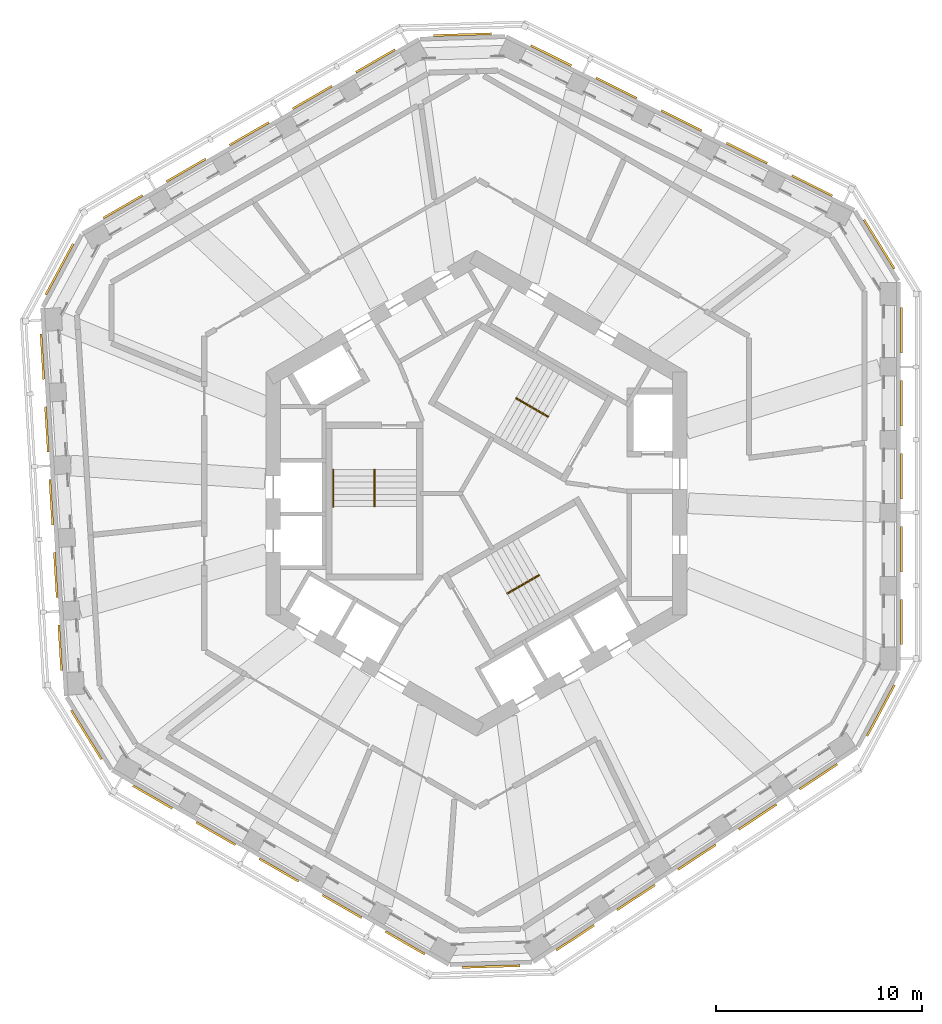
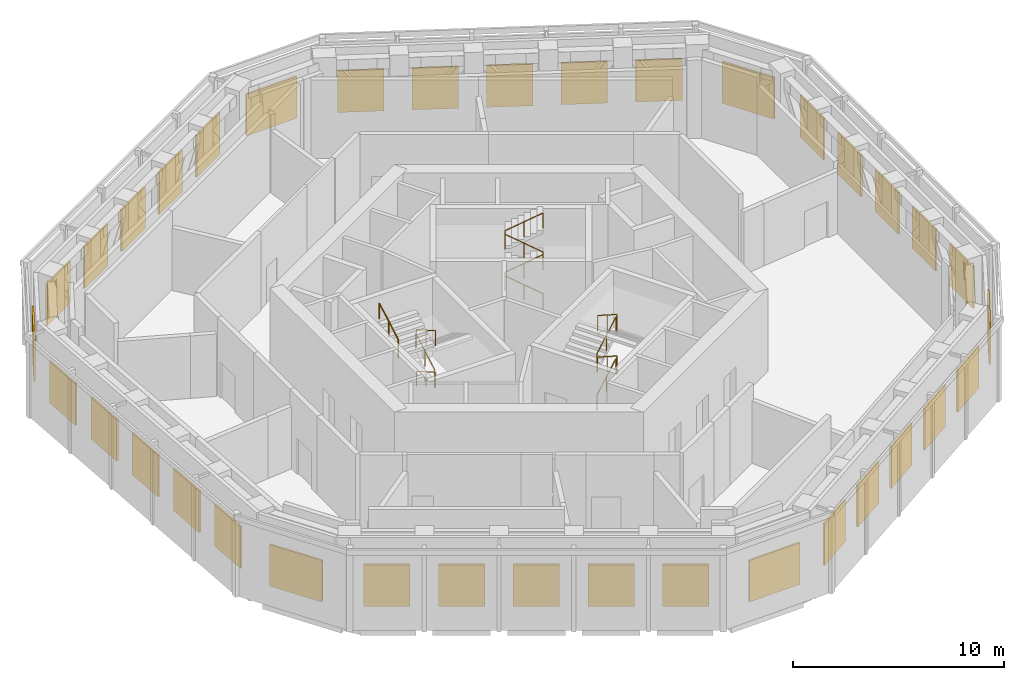
# One storey, part 14 of 14: 36 shading devices, 4 railings.
"""IFC4 building model written with IfcOpenShell, lengths in metres."""

from ifc_helpers import new_model, si_unit, direction, frame, origin, origin_2d, place, context, subcontext, project, spatial, rectangle, circle, extrude, material, layer, layer_set, type_object, element, save


model = new_model("IFC4")

# Units and contexts
model_context = context("Model", 3, precision=1e-05, world=origin(), true_north=direction((0.0, 1.0)))
body_context = subcontext(model_context, "Body", "Model", "MODEL_VIEW")
ifc_project = project(units=[si_unit("LENGTHUNIT", "METRE"), si_unit("AREAUNIT", "SQUARE_METRE"), si_unit("VOLUMEUNIT", "CUBIC_METRE"), si_unit("PLANEANGLEUNIT", "RADIAN"), si_unit("MASSUNIT", "GRAM", prefix="KILO")], contexts=[model_context])

# Site, building, storey
site_placement = place(None, origin())
site = spatial("IfcSite", under=ifc_project, at=site_placement, CompositionType="ELEMENT")
building_placement = place(site_placement, origin())
building = spatial("IfcBuilding", under=site, at=building_placement, Name="Vanh Sen Convention Tower", CompositionType="ELEMENT")
storey_placement = place(building_placement, frame((0.0, 0.0, 255.0)))
storey = spatial("IfcBuildingStorey", under=building, at=storey_placement, Name="L63", CompositionType="ELEMENT", Elevation=255.0)

# Shading devices
ifc_material_1 = material(Name="Aluminium fixed louvre", Category="aluminium")
ifc_layer_1 = layer(ifc_material_1, 0.10009765625)
ifc_layer_set_1 = layer_set([ifc_layer_1], Name="Aluminium fixed louvre")
shading_device_type_1 = type_object("IfcShadingDeviceType", Name="Fixed louvre band 2200 x 2400", PredefinedType="USERDEFINED", material=ifc_layer_set_1)
for number, where, z_axis, x_axis, name in (
    (1, (20.60009765625, -6.236083984375, 0.900146484375), (0.0, 0.0, 1.0), (0.0, 1.0, 0.0), "Fixed louvre band LV5-E1"),
    (2, (20.60009765625, -2.702392578125, 0.900146484375), (0.0, 0.0, 1.0), (0.0, 1.0, 0.0), "Fixed louvre band LV5-E2"),
    (3, (20.60009765625, 0.831298828125, 0.900146484375), (0.0, 0.0, 1.0), (0.0, 1.0, 0.0), "Fixed louvre band LV5-E3"),
    (4, (20.60009765625, 4.364990234375, 0.900146484375), (0.0, 0.0, 1.0), (0.0, 1.0, 0.0), "Fixed louvre band LV5-E4"),
    (5, (20.60009765625, 7.8984375, 0.900146484375), (0.0, 0.0, 1.0), (0.0, 1.0, 0.0), "Fixed louvre band LV5-E5"),
    (6, (16.260498046875, 14.911376953125, 0.900146484375), (0.0, 0.0, 1.0), (-0.894935140363, 0.446196251154, 0.0), "Fixed louvre band LV5-NE1"),
    (7, (13.09814453125, 16.488037109375, 0.900146484375), (0.0, 0.0, 1.0), (-0.894935140363, 0.446196251154, 0.0), "Fixed louvre band LV5-NE2"),
    (8, (9.935546875, 18.064697265625, 0.900146484375), (0.0, 0.0, 1.0), (-0.894935140363, 0.446196251154, 0.0), "Fixed louvre band LV5-NE3"),
    (9, (6.773193359375, 19.6416015625, 0.900146484375), (0.0, 0.0, 1.0), (-0.894935140363, 0.446196251154, 0.0), "Fixed louvre band LV5-NE4"),
    (10, (3.61083984375, 21.21826171875, 0.900146484375), (0.0, 0.0, 1.0), (-0.894935140363, 0.446196251154, 0.0), "Fixed louvre band LV5-NE5"),
    (11, (-4.8994140625, 20.9580078125, 0.900146484375), (0.0, 0.0, 1.0), (-0.866024531118, -0.500001511499, 0.0), "Fixed louvre band LV5-NW1"),
    (12, (-7.959716796875, 19.19140625, 0.900146484375), (0.0, 0.0, 1.0), (-0.866024531118, -0.500001511499, 0.0), "Fixed louvre band LV5-NW2"),
    (13, (-11.02001953125, 17.424560546875, 0.900146484375), (0.0, 0.0, 1.0), (-0.866024531118, -0.500001511499, 0.0), "Fixed louvre band LV5-NW3"),
    (14, (-14.080078125, 15.65771484375, 0.900146484375), (0.0, 0.0, 1.0), (-0.866024531118, -0.500001511499, 0.0), "Fixed louvre band LV5-NW4"),
    (15, (-17.140380859375, 13.890869140625, 0.900146484375), (0.0, 0.0, 1.0), (-0.866024531118, -0.500001511499, 0.0), "Fixed louvre band LV5-NW5"),
    (16, (-21.043701171875, 6.626220703125, 0.900146484375), (0.0, 0.0, 1.0), (0.061045055387, -0.998135011515, 0.0), "Fixed louvre band LV5-W1"),
    (17, (-20.827880859375, 3.09912109375, 0.900146484375), (0.0, 0.0, 1.0), (0.061045055387, -0.998135011515, 0.0), "Fixed louvre band LV5-W2"),
    (18, (-20.6123046875, -0.427978515625, 0.900146484375), (0.0, 0.0, 1.0), (0.061045055387, -0.998135011515, 0.0), "Fixed louvre band LV5-W3"),
    (19, (-20.396484375, -3.954833984375, 0.900146484375), (0.0, 0.0, 1.0), (0.061045055387, -0.998135011515, 0.0), "Fixed louvre band LV5-W4"),
    (20, (-20.180908203125, -7.48193359375, 0.900146484375), (0.0, 0.0, 1.0), (0.061045055387, -0.998135011515, 0.0), "Fixed louvre band LV5-W5"),
    (21, (-15.700439453125, -14.72216796875, 0.900146484375), (0.0, 0.0, 1.0), (0.866024531118, -0.500001511499, 0.0), "Fixed louvre band LV5-SW1"),
    (22, (-12.640380859375, -16.489013671875, 0.900146484375), (0.0, 0.0, 1.0), (0.866024531118, -0.500001511499, 0.0), "Fixed louvre band LV5-SW2"),
    (23, (-9.580078125, -18.255859375, 0.900146484375), (0.0, 0.0, 1.0), (0.866024531118, -0.500001511499, 0.0), "Fixed louvre band LV5-SW3"),
    (24, (-6.52001953125, -20.022705078125, 0.900146484375), (0.0, 0.0, 1.0), (0.866024531118, -0.500001511499, 0.0), "Fixed louvre band LV5-SW4"),
    (25, (-3.459716796875, -21.789306640625, 0.900146484375), (0.0, 0.0, 1.0), (0.866024531118, -0.500001511499, 0.0), "Fixed louvre band LV5-SW5"),
    (26, (4.783447265625, -21.53759765625, 0.900146484375), (0.0, 0.0, 1.0), (0.833886785378, 0.551935529906, 0.0), "Fixed louvre band LV5-SE1"),
    (27, (7.72998046875, -19.587158203125, 0.900146484375), (0.0, 0.0, 1.0), (0.833886785378, 0.551935529906, 0.0), "Fixed louvre band LV5-SE2"),
    (28, (10.6767578125, -17.636962890625, 0.900146484375), (0.0, 0.0, 1.0), (0.833886785378, 0.551935529906, 0.0), "Fixed louvre band LV5-SE3"),
    (29, (13.623291015625, -15.6865234375, 0.900146484375), (0.0, 0.0, 1.0), (0.833886785378, 0.551935529906, 0.0), "Fixed louvre band LV5-SE4"),
    (30, (16.570068359375, -13.736083984375, 0.900146484375), (0.0, 0.0, 1.0), (0.833886785378, 0.551935529906, 0.0), "Fixed louvre band LV5-SE5"),
):
    element("IfcShadingDevice", number, at=place(storey_placement, frame(where, z_axis=z_axis, x_axis=x_axis)), inside=storey, type_object=shading_device_type_1, Name=name, ObjectType="LOUVRE", PredefinedType="USERDEFINED", context=body_context, shape_type="SweptSolid", body=[
        extrude(rectangle(XDim=2.199951171875, YDim=0.10009765625, at=origin_2d()), origin(), (0.0, 0.0, 1.0), 2.39990234375),
    ])
ifc_layer_2 = layer(ifc_material_1, 0.10009765625)
ifc_layer_set_2 = layer_set([ifc_layer_2], Name="Aluminium fixed louvre")
shading_device_type_2 = type_object("IfcShadingDeviceType", Name="Fixed louvre band 2800 x 2400", PredefinedType="USERDEFINED", material=ifc_layer_set_2)
for number, where, z_axis, x_axis, name in (
    (31, (19.5146484375, 12.075927734375, 0.900146484375), (0.0, 0.0, 1.0), (-0.526207987061, 0.850355898641, 0.0), "Fixed louvre band LV6-CH11"),
    (32, (-0.67919921875, 22.231689453125, 0.900146484375), (0.0, 0.0, 1.0), (-0.999533537535, -0.030540257725, 0.0), "Fixed louvre band LV6-CH21"),
    (33, (-20.215576171875, 10.8623046875, 0.900146484375), (0.0, 0.0, 1.0), (-0.473307367584, -0.880897346909, 0.0), "Fixed louvre band LV6-CH31"),
    (34, (-18.91357421875, -11.7041015625, 0.900146484375), (0.0, 0.0, 1.0), (0.526225796757, -0.85034487758, 0.0), "Fixed louvre band LV6-CH41"),
    (35, (0.700927734375, -22.938232421875, 0.900146484375), (0.0, 0.0, 1.0), (0.999533537535, 0.030540257725, 0.0), "Fixed louvre band LV6-CH51"),
    (36, (19.593017578125, -10.527587890625, 0.900146484375), (0.0, 0.0, 1.0), (0.473310442493, 0.880895694749, 0.0), "Fixed louvre band LV6-CH61"),
):
    element("IfcShadingDevice", number, at=place(storey_placement, frame(where, z_axis=z_axis, x_axis=x_axis)), inside=storey, type_object=shading_device_type_2, Name=name, ObjectType="LOUVRE", PredefinedType="USERDEFINED", context=body_context, shape_type="SweptSolid", body=[
        extrude(rectangle(XDim=2.800048828125, YDim=0.10009765625, at=origin_2d()), origin(), (0.0, 0.0, 1.0), 2.39990234375),
    ])

# Railings
ifc_material_2 = material(Name="Stainless steel handrail", Category="steel")
railing_type = type_object("IfcRailingType", Name="Stair handrail 900", PredefinedType="HANDRAIL", material=ifc_material_2)
railing_1_placement = place(storey_placement, frame((3.45849609375, 3.690185546875, 0.17138671875)))
element("IfcRailing", 37, at=railing_1_placement, inside=storey, type_object=railing_type, Name="Stair handrail ST1 L63", PredefinedType="HANDRAIL", context=body_context, shape_type="SweptSolid", body=[
    extrude(circle(Radius=0.02392578125, at=origin_2d()), frame((0.0, 0.0, 0.8759765625), z_axis=(-0.751935606252, 0.434085300649, 0.496147957579), x_axis=(-0.499961193289, -0.866047807691, 0.0)), (0.0, 0.0, 1.0), 2.072998046875),
    extrude(circle(Radius=0.02392578125, at=origin_2d()), frame((-1.558837890625, 0.89990234375, 1.904296875), z_axis=(0.497188445666, 0.867642581652, 0.0), x_axis=(-0.867642581652, 0.497188445666, 0.0)), (0.0, 0.0, 1.0), 0.050048828125),
    extrude(circle(Radius=0.02392578125, at=origin_2d()), frame((-1.533935546875, 0.943359375, 1.904296875), z_axis=(0.0, 0.0, 1.0), x_axis=(1.0, 0.0, 0.0)), (0.0, 0.0, 1.0), 0.17138671875),
    extrude(circle(Radius=0.02392578125, at=origin_2d()), frame((-1.533935546875, 0.943359375, 2.07568359375), z_axis=(0.751897164686, -0.434180868629, 0.496122592767), x_axis=(0.500062916607, 0.865989075817, 0.0)), (0.0, 0.0, 1.0), 2.0732421875),
    extrude(circle(Radius=0.02392578125, at=origin_2d()), frame((0.02490234375, 0.043212890625, 3.1044921875), z_axis=(-0.499298623879, -0.866429964967, 0.0), x_axis=(0.866429964967, -0.499298623879, 0.0)), (0.0, 0.0, 1.0), 0.0498046875),
    extrude(circle(Radius=0.02392578125, at=origin_2d()), frame((0.0, 0.0, 3.1044921875), z_axis=(0.0, 0.0, 1.0), x_axis=(1.0, 0.0, 0.0)), (0.0, 0.0, 1.0), 0.17138671875),
    extrude(circle(Radius=0.02392578125, at=origin_2d()), frame((0.0, 0.0, 3.27587890625), z_axis=(-0.751891669791, 0.434059936546, 0.496236726155), x_axis=(-0.499961193289, -0.866047807691, 0.0)), (0.0, 0.0, 1.0), 2.0732421875),
    extrude(circle(Radius=0.02392578125, at=origin_2d()), frame((-1.558837890625, 0.89990234375, 4.3046875), z_axis=(0.497188445666, 0.867642581652, 0.0), x_axis=(-0.867642581652, 0.497188445666, 0.0)), (0.0, 0.0, 1.0), 0.050048828125),
    extrude(circle(Radius=0.02392578125, at=origin_2d()), frame((-1.533935546875, 0.943359375, 4.3046875), z_axis=(0.0, 0.0, 1.0), x_axis=(1.0, 0.0, 0.0)), (0.0, 0.0, 1.0), 0.17138671875),
    extrude(circle(Radius=0.02392578125, at=origin_2d()), frame((-1.533935546875, 0.943359375, 4.47607421875), z_axis=(0.751897164686, -0.434180868629, 0.496122592767), x_axis=(0.500062916607, 0.865989075817, 0.0)), (0.0, 0.0, 1.0), 2.0732421875),
    extrude(circle(Radius=0.02099609375, at=origin_2d()), origin(), (0.0, 0.0, 1.0), 0.851806640625),
    extrude(circle(Radius=0.02099609375, at=origin_2d()), frame((-0.779296875, 0.449951171875, 0.51416015625)), (0.0, 0.0, 1.0), 0.851806640625),
    extrude(circle(Radius=0.02099609375, at=origin_2d()), frame((-1.558837890625, 0.89990234375, 1.028564453125)), (0.0, 0.0, 1.0), 0.851806640625),
    extrude(circle(Radius=0.02099609375, at=origin_2d()), frame((-1.533935546875, 0.943359375, 1.028564453125)), (0.0, 0.0, 1.0), 0.851806640625),
    extrude(circle(Radius=0.02099609375, at=origin_2d()), frame((-1.533935546875, 0.943359375, 1.199951171875)), (0.0, 0.0, 1.0), 0.851806640625),
    extrude(circle(Radius=0.02099609375, at=origin_2d()), frame((-0.75439453125, 0.4931640625, 1.71435546875)), (0.0, 0.0, 1.0), 0.851806640625),
    extrude(circle(Radius=0.02099609375, at=origin_2d()), frame((0.02490234375, 0.043212890625, 2.228515625)), (0.0, 0.0, 1.0), 0.851806640625),
    extrude(circle(Radius=0.02099609375, at=origin_2d()), frame((0.0, 0.0, 2.228515625)), (0.0, 0.0, 1.0), 0.851806640625),
    extrude(circle(Radius=0.02099609375, at=origin_2d()), frame((0.0, 0.0, 2.39990234375)), (0.0, 0.0, 1.0), 0.851806640625),
    extrude(circle(Radius=0.02099609375, at=origin_2d()), frame((-0.779296875, 0.449951171875, 2.914306640625)), (0.0, 0.0, 1.0), 0.851806640625),
    extrude(circle(Radius=0.02099609375, at=origin_2d()), frame((-1.558837890625, 0.89990234375, 3.4287109375)), (0.0, 0.0, 1.0), 0.851806640625),
    extrude(circle(Radius=0.02099609375, at=origin_2d()), frame((-1.533935546875, 0.943359375, 3.4287109375)), (0.0, 0.0, 1.0), 0.851806640625),
    extrude(circle(Radius=0.02099609375, at=origin_2d()), frame((-1.533935546875, 0.943359375, 3.60009765625)), (0.0, 0.0, 1.0), 0.851806640625),
    extrude(circle(Radius=0.02099609375, at=origin_2d()), frame((-0.75439453125, 0.4931640625, 4.1142578125)), (0.0, 0.0, 1.0), 0.851806640625),
    extrude(circle(Radius=0.02099609375, at=origin_2d()), frame((0.02490234375, 0.043212890625, 4.628662109375)), (0.0, 0.0, 1.0), 0.851806640625),
])
railing_2_placement = place(storey_placement, frame((-4.925048828125, 1.14990234375, 0.17138671875)))
element("IfcRailing", 38, at=railing_2_placement, inside=storey, type_object=railing_type, Name="Stair handrail ST2 L63", PredefinedType="HANDRAIL", context=body_context, shape_type="SweptSolid", body=[
    extrude(circle(Radius=0.02392578125, at=origin_2d()), frame((0.0, 0.0, 0.8759765625), z_axis=(0.0, -0.868221398612, 0.496176987568), x_axis=(1.0, 0.0, 0.0)), (0.0, 0.0, 1.0), 2.072998046875),
    extrude(circle(Radius=0.02392578125, at=origin_2d()), frame((0.0, -1.7998046875, 1.904296875), z_axis=(-1.0, 0.0, 0.0), x_axis=(0.0, -1.0, 0.0)), (0.0, 0.0, 1.0), 0.050048828125),
    extrude(circle(Radius=0.02392578125, at=origin_2d()), frame((-0.050048828125, -1.7998046875, 1.904296875), z_axis=(0.0, 0.0, 1.0), x_axis=(1.0, 0.0, 0.0)), (0.0, 0.0, 1.0), 0.17138671875),
    extrude(circle(Radius=0.02392578125, at=origin_2d()), frame((-0.050048828125, -1.7998046875, 2.07568359375), z_axis=(0.0, 0.868221398612, 0.496176987568), x_axis=(-1.0, 0.0, 0.0)), (0.0, 0.0, 1.0), 2.072998046875),
    extrude(circle(Radius=0.02392578125, at=origin_2d()), frame((-0.050048828125, 0.0, 3.1044921875), z_axis=(1.0, 0.0, 0.0), x_axis=(0.0, 1.0, 0.0)), (0.0, 0.0, 1.0), 0.050048828125),
    extrude(circle(Radius=0.02392578125, at=origin_2d()), frame((0.0, 0.0, 3.1044921875), z_axis=(0.0, 0.0, 1.0), x_axis=(1.0, 0.0, 0.0)), (0.0, 0.0, 1.0), 0.17138671875),
    extrude(circle(Radius=0.02392578125, at=origin_2d()), frame((0.0, 0.0, 3.27587890625), z_axis=(0.0, -0.868170661501, 0.496265757945), x_axis=(1.0, 0.0, 0.0)), (0.0, 0.0, 1.0), 2.072998046875),
    extrude(circle(Radius=0.02099609375, at=origin_2d()), origin(), (0.0, 0.0, 1.0), 0.851806640625),
    extrude(circle(Radius=0.02099609375, at=origin_2d()), frame((0.0, -0.89990234375, 0.51416015625)), (0.0, 0.0, 1.0), 0.851806640625),
    extrude(circle(Radius=0.02099609375, at=origin_2d()), frame((0.0, -1.7998046875, 1.028564453125)), (0.0, 0.0, 1.0), 0.851806640625),
    extrude(circle(Radius=0.02099609375, at=origin_2d()), frame((-0.050048828125, -1.7998046875, 1.028564453125)), (0.0, 0.0, 1.0), 0.851806640625),
    extrude(circle(Radius=0.02099609375, at=origin_2d()), frame((-0.050048828125, -1.7998046875, 1.199951171875)), (0.0, 0.0, 1.0), 0.851806640625),
    extrude(circle(Radius=0.02099609375, at=origin_2d()), frame((-0.050048828125, -0.89990234375, 1.71435546875)), (0.0, 0.0, 1.0), 0.851806640625),
    extrude(circle(Radius=0.02099609375, at=origin_2d()), frame((-0.050048828125, 0.0, 2.228515625)), (0.0, 0.0, 1.0), 0.851806640625),
    extrude(circle(Radius=0.02099609375, at=origin_2d()), frame((0.0, 0.0, 2.228515625)), (0.0, 0.0, 1.0), 0.851806640625),
    extrude(circle(Radius=0.02099609375, at=origin_2d()), frame((0.0, 0.0, 2.39990234375)), (0.0, 0.0, 1.0), 0.851806640625),
    extrude(circle(Radius=0.02099609375, at=origin_2d()), frame((0.0, -0.89990234375, 2.914306640625)), (0.0, 0.0, 1.0), 0.851806640625),
    extrude(circle(Radius=0.02099609375, at=origin_2d()), frame((0.0, -1.7998046875, 3.4287109375)), (0.0, 0.0, 1.0), 0.851806640625),
])
railing_3_placement = place(storey_placement, frame((1.466552734375, -4.840087890625, 0.17138671875)))
element("IfcRailing", 39, at=railing_3_placement, inside=storey, type_object=railing_type, Name="Stair handrail ST3 L63", PredefinedType="HANDRAIL", context=body_context, shape_type="SweptSolid", body=[
    extrude(circle(Radius=0.02392578125, at=origin_2d()), frame((0.0, 0.0, 0.8759765625), z_axis=(0.751935606252, 0.434085300649, 0.496147957579), x_axis=(-0.499961193289, 0.866047807691, 0.0)), (0.0, 0.0, 1.0), 2.072998046875),
    extrude(circle(Radius=0.02392578125, at=origin_2d()), frame((1.558837890625, 0.89990234375, 1.904296875), z_axis=(0.499298623879, -0.866429964967, 0.0), x_axis=(0.866429964967, 0.499298623879, 0.0)), (0.0, 0.0, 1.0), 0.0498046875),
    extrude(circle(Radius=0.02392578125, at=origin_2d()), frame((1.583740234375, 0.856689453125, 1.904296875), z_axis=(0.0, 0.0, 1.0), x_axis=(1.0, 0.0, 0.0)), (0.0, 0.0, 1.0), 0.17138671875),
    extrude(circle(Radius=0.02392578125, at=origin_2d()), frame((1.583740234375, 0.856689453125, 2.07568359375), z_axis=(-0.751845973456, -0.434219314557, 0.496166523523), x_axis=(0.50012165622, -0.865955154139, 0.0)), (0.0, 0.0, 1.0), 2.072998046875),
    extrude(circle(Radius=0.02392578125, at=origin_2d()), frame((0.025146484375, -0.04345703125, 3.1044921875), z_axis=(-0.500844580232, 0.86553723574, 0.0), x_axis=(-0.86553723574, -0.500844580232, 0.0)), (0.0, 0.0, 1.0), 0.05029296875),
    extrude(circle(Radius=0.02392578125, at=origin_2d()), frame((0.0, 0.0, 3.1044921875), z_axis=(0.0, 0.0, 1.0), x_axis=(1.0, 0.0, 0.0)), (0.0, 0.0, 1.0), 0.17138671875),
    extrude(circle(Radius=0.02392578125, at=origin_2d()), frame((0.0, 0.0, 3.27587890625), z_axis=(0.751891669791, 0.434059936546, 0.496236726155), x_axis=(-0.499961193289, 0.866047807691, 0.0)), (0.0, 0.0, 1.0), 2.0732421875),
    extrude(circle(Radius=0.02392578125, at=origin_2d()), frame((1.558837890625, 0.89990234375, 4.3046875), z_axis=(0.499298623879, -0.866429964967, 0.0), x_axis=(0.866429964967, 0.499298623879, 0.0)), (0.0, 0.0, 1.0), 0.0498046875),
    extrude(circle(Radius=0.02392578125, at=origin_2d()), frame((1.583740234375, 0.856689453125, 4.3046875), z_axis=(0.0, 0.0, 1.0), x_axis=(1.0, 0.0, 0.0)), (0.0, 0.0, 1.0), 0.17138671875),
    extrude(circle(Radius=0.02392578125, at=origin_2d()), frame((1.583740234375, 0.856689453125, 4.47607421875), z_axis=(-0.751845973456, -0.434219314557, 0.496166523523), x_axis=(0.50012165622, -0.865955154139, 0.0)), (0.0, 0.0, 1.0), 2.072998046875),
    extrude(circle(Radius=0.02099609375, at=origin_2d()), origin(), (0.0, 0.0, 1.0), 0.851806640625),
    extrude(circle(Radius=0.02099609375, at=origin_2d()), frame((0.779296875, 0.449951171875, 0.51416015625)), (0.0, 0.0, 1.0), 0.851806640625),
    extrude(circle(Radius=0.02099609375, at=origin_2d()), frame((1.558837890625, 0.89990234375, 1.028564453125)), (0.0, 0.0, 1.0), 0.851806640625),
    extrude(circle(Radius=0.02099609375, at=origin_2d()), frame((1.583740234375, 0.856689453125, 1.028564453125)), (0.0, 0.0, 1.0), 0.851806640625),
    extrude(circle(Radius=0.02099609375, at=origin_2d()), frame((1.583740234375, 0.856689453125, 1.199951171875)), (0.0, 0.0, 1.0), 0.851806640625),
    extrude(circle(Radius=0.02099609375, at=origin_2d()), frame((0.804443359375, 0.40673828125, 1.71435546875)), (0.0, 0.0, 1.0), 0.851806640625),
    extrude(circle(Radius=0.02099609375, at=origin_2d()), frame((0.025146484375, -0.04345703125, 2.228515625)), (0.0, 0.0, 1.0), 0.851806640625),
    extrude(circle(Radius=0.02099609375, at=origin_2d()), frame((0.0, 0.0, 2.228515625)), (0.0, 0.0, 1.0), 0.851806640625),
    extrude(circle(Radius=0.02099609375, at=origin_2d()), frame((0.0, 0.0, 2.39990234375)), (0.0, 0.0, 1.0), 0.851806640625),
    extrude(circle(Radius=0.02099609375, at=origin_2d()), frame((0.779296875, 0.449951171875, 2.914306640625)), (0.0, 0.0, 1.0), 0.851806640625),
    extrude(circle(Radius=0.02099609375, at=origin_2d()), frame((1.558837890625, 0.89990234375, 3.4287109375)), (0.0, 0.0, 1.0), 0.851806640625),
    extrude(circle(Radius=0.02099609375, at=origin_2d()), frame((1.583740234375, 0.856689453125, 3.4287109375)), (0.0, 0.0, 1.0), 0.851806640625),
    extrude(circle(Radius=0.02099609375, at=origin_2d()), frame((1.583740234375, 0.856689453125, 3.60009765625)), (0.0, 0.0, 1.0), 0.851806640625),
    extrude(circle(Radius=0.02099609375, at=origin_2d()), frame((0.804443359375, 0.40673828125, 4.1142578125)), (0.0, 0.0, 1.0), 0.851806640625),
    extrude(circle(Radius=0.02099609375, at=origin_2d()), frame((0.025146484375, -0.04345703125, 4.628662109375)), (0.0, 0.0, 1.0), 0.851806640625),
])
railing_4_placement = place(storey_placement, frame((-6.949951171875, -0.64990234375, 3.60009765625)))
element("IfcRailing", 40, at=railing_4_placement, inside=storey, type_object=railing_type, Name="Stair wall handrail ST2 L63", PredefinedType="HANDRAIL", context=body_context, shape_type="SweptSolid", body=[
    extrude(circle(Radius=0.02392578125, at=origin_2d()), frame((0.0, 0.0, 0.8759765625), z_axis=(0.0, 0.0, 1.0), x_axis=(1.0, 0.0, 0.0)), (0.0, 0.0, 1.0), 0.17138671875),
    extrude(circle(Radius=0.02392578125, at=origin_2d()), frame((0.0, 0.0, 1.04736328125), z_axis=(0.0, 0.868221398612, 0.496176987568), x_axis=(-1.0, 0.0, 0.0)), (0.0, 0.0, 1.0), 2.072998046875),
    extrude(circle(Radius=0.02099609375, at=origin_2d()), origin(), (0.0, 0.0, 1.0), 0.851806640625),
    extrude(circle(Radius=0.02099609375, at=origin_2d()), frame((0.0, 0.0, 0.17138671875)), (0.0, 0.0, 1.0), 0.851806640625),
    extrude(circle(Radius=0.02099609375, at=origin_2d()), frame((0.0, 0.89990234375, 0.685546875)), (0.0, 0.0, 1.0), 0.851806640625),
    extrude(circle(Radius=0.02099609375, at=origin_2d()), frame((0.0, 1.7998046875, 1.199951171875)), (0.0, 0.0, 1.0), 0.851806640625),
])

save(model, "model.ifc")
